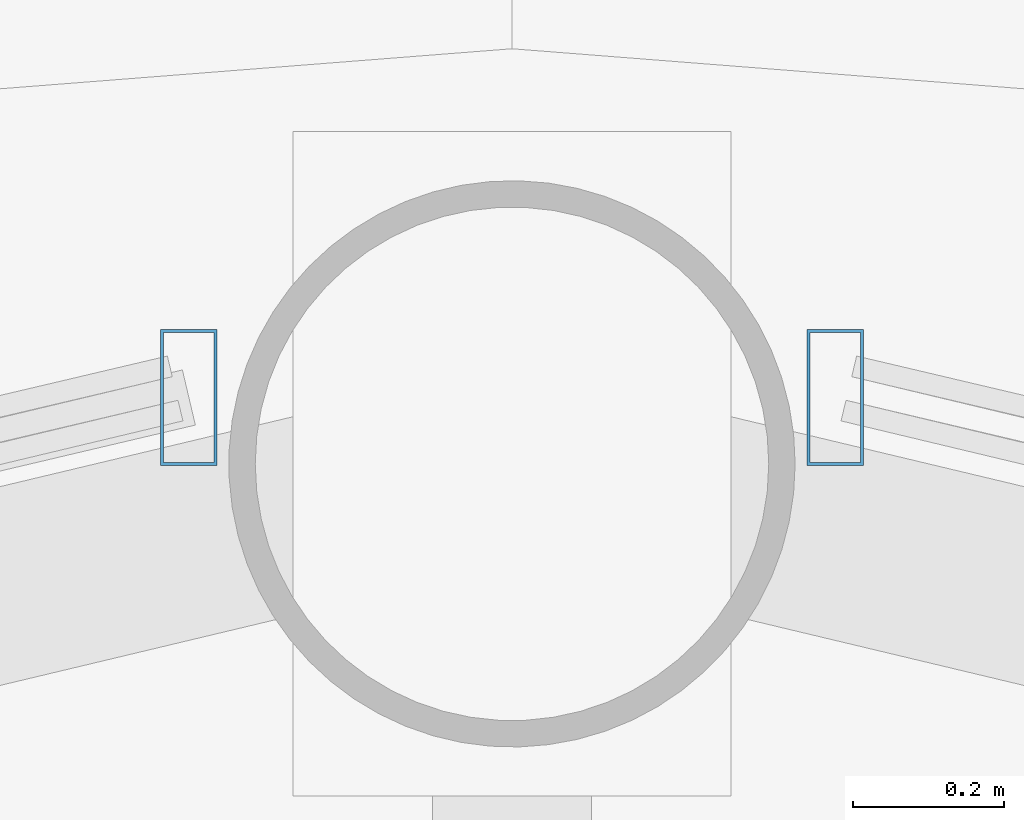
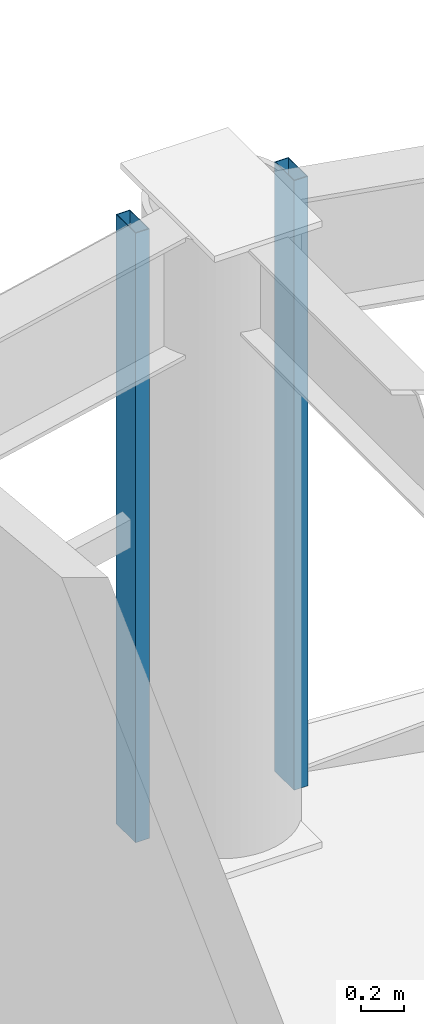
# One storey, part 17 of 30: 2 members, 2 elements without a shape of their own.
"""IFC4 building model written with IfcOpenShell, lengths in metres."""

from ifc_helpers import new_model, si_unit, direction, frame, origin, origin_2d, place, context, subcontext, project, spatial, hollow_rectangle, extrude, material, layer, layer_set, material_profile, profile_set, type_object, element, aggregate, save


model = new_model("IFC4")

# Units and contexts
model_context = context("Model", 3, precision=1e-05, world=origin(), true_north=direction((0.0, 1.0)))
body_context = subcontext(model_context, "Body", "Model", "MODEL_VIEW")
ifc_project = project(units=[si_unit("LENGTHUNIT", "METRE"), si_unit("AREAUNIT", "SQUARE_METRE"), si_unit("VOLUMEUNIT", "CUBIC_METRE"), si_unit("PLANEANGLEUNIT", "RADIAN"), si_unit("MASSUNIT", "GRAM", prefix="KILO")], contexts=[model_context])

# Site, building, storey
site_placement = place(None, origin())
site = spatial("IfcSite", under=ifc_project, at=site_placement, CompositionType="ELEMENT")
building_placement = place(site_placement, origin())
building = spatial("IfcBuilding", under=site, at=building_placement, Name="Vantalir Tower", CompositionType="ELEMENT")
storey_placement = place(building_placement, frame((0.0, 0.0, 153.449951171875)))
storey = spatial("IfcBuildingStorey", under=building, at=storey_placement, Name="L38", CompositionType="ELEMENT", Elevation=153.449951171875)

# Curtain wall, member
ifc_material_1 = material(Name="Champagne-silver PVDF aluminium and double-silver Low-E glass", Category="aluminium")
ifc_layer = layer(ifc_material_1, 0.199951171875)
ifc_layer_set = layer_set([ifc_layer], Name="Champagne-silver PVDF aluminium and double-silver Low-E glass")
curtain_wall_type = type_object("IfcCurtainWallType", Name="CW-DIAMOND-Z2", PredefinedType="USERDEFINED", material=ifc_layer_set)
curtain_wall_1_placement = place(storey_placement, origin())
curtain_wall_1 = element("IfcCurtainWall", 1, at=curtain_wall_1_placement, inside=storey, type_object=curtain_wall_type, Name="L38 Quilted Pyramid-Diamond Curtain Wall S03", ObjectType="UNITISED CURTAIN WALL", PredefinedType="USERDEFINED")
ifc_material_2 = material(Name="Champagne-silver PVDF aluminium 6063-T6", Category="aluminium")
ifc_material_profile = material_profile(ifc_material_2, hollow_rectangle(XDim=0.074951171875, YDim=0.179931640625, WallThickness=0.00390625, at=origin_2d()), Name="Champagne-silver PVDF aluminium 6063-T6")
ifc_profile_set = profile_set([ifc_material_profile], Name="Champagne-silver PVDF aluminium 6063-T6")
member_type = type_object("IfcMemberType", Name="CWM-180x75", PredefinedType="MULLION", material=ifc_profile_set)
member_1_placement = place(storey_placement, frame((31.927978515625, 47.156982421875, 0.045166015625), z_axis=(0.0, 0.0, 1.0), x_axis=(1.0, 0.0, 0.0)))
member_1 = element("IfcMember", 2, at=member_1_placement, type_object=member_type, Name="CW-L38-S03 Mullion 2", PredefinedType="MULLION", context=body_context, shape_type="SweptSolid", body=[
    extrude(hollow_rectangle(XDim=0.074951171875, YDim=0.179931640625, WallThickness=0.00390625, at=origin_2d()), origin(), (0.0, 0.0, 1.0), 3.47998046875),
])
aggregate(curtain_wall_1, [member_1])

curtain_wall_2_placement = place(storey_placement, origin())
curtain_wall_2 = element("IfcCurtainWall", 3, at=curtain_wall_2_placement, inside=storey, type_object=curtain_wall_type, Name="L38 Quilted Pyramid-Diamond Curtain Wall S04", ObjectType="UNITISED CURTAIN WALL", PredefinedType="USERDEFINED")
member_2_placement = place(storey_placement, frame((31.072021484375, 47.156982421875, 0.045166015625), z_axis=(0.0, 0.0, 1.0), x_axis=(1.0, 0.0, 0.0)))
member_2 = element("IfcMember", 4, at=member_2_placement, type_object=member_type, Name="CW-L38-S04 Mullion 1", PredefinedType="MULLION", context=body_context, shape_type="SweptSolid", body=[
    extrude(hollow_rectangle(XDim=0.074951171875, YDim=0.179931640625, WallThickness=0.00390625, at=origin_2d()), origin(), (0.0, 0.0, 1.0), 3.47998046875),
])
aggregate(curtain_wall_2, [member_2])

save(model, "model.ifc")
